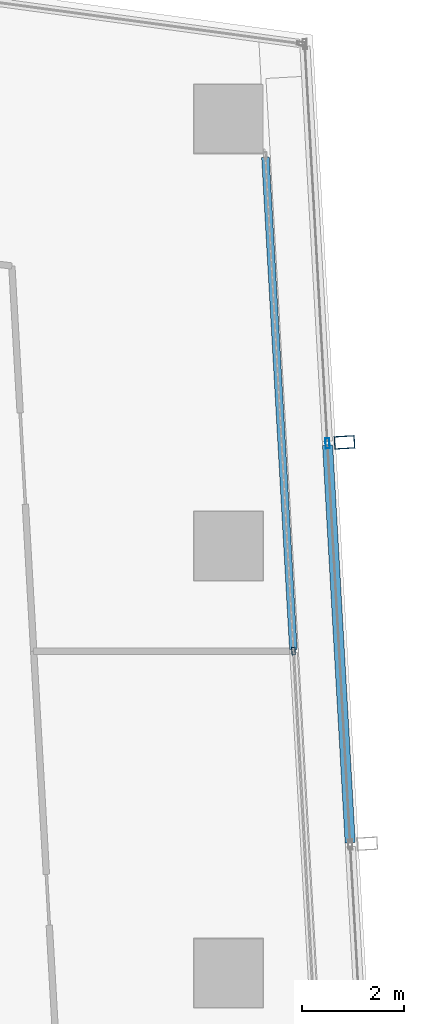
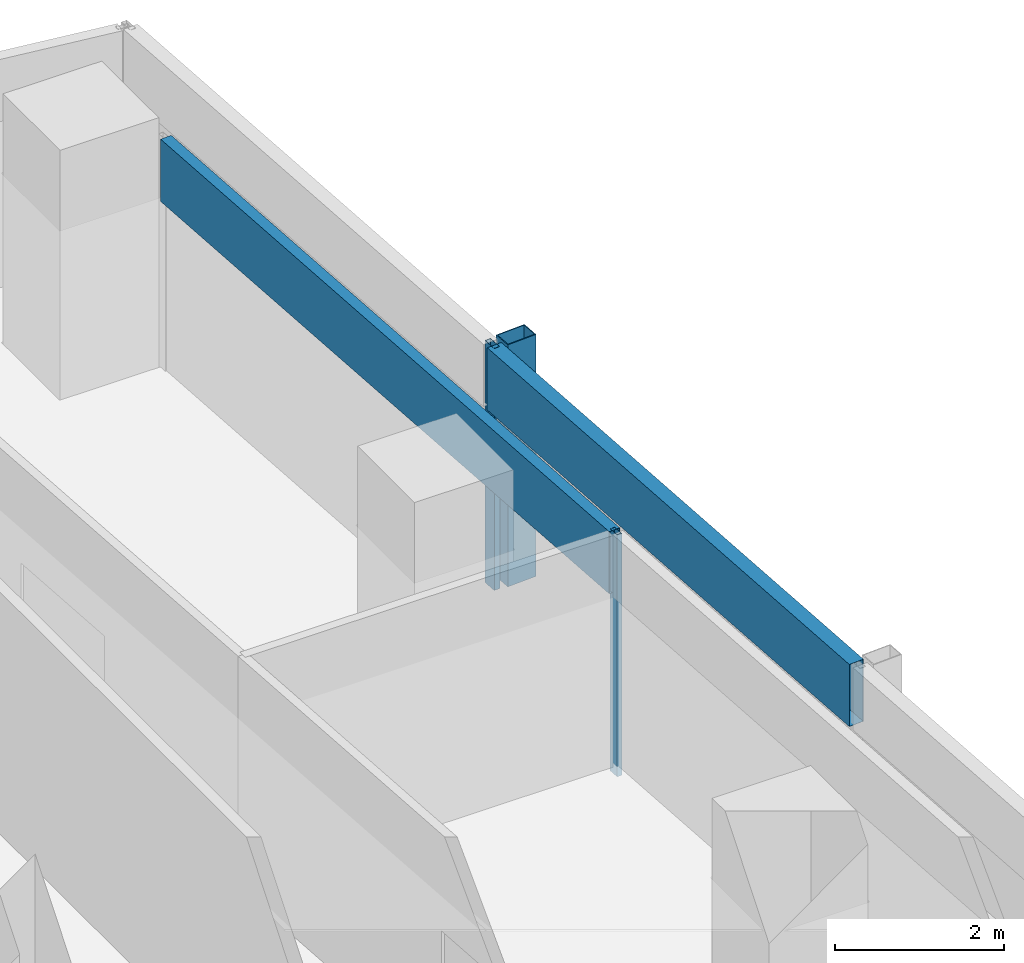
# One storey, part 23 of 38: 5 members, 2 elements without a shape of their own.
"""IFC4 building model written with IfcOpenShell, lengths in metres."""

from ifc_helpers import new_model, si_unit, direction, frame, origin, origin_2d, place, context, subcontext, project, spatial, hollow_rectangle, extrude, material, material_profile, profile_set, type_object, element, aggregate, save


model = new_model("IFC4")

# Units and contexts
model_context = context("Model", 3, precision=1e-05, world=origin(), true_north=direction((0.0, 1.0)))
body_context = subcontext(model_context, "Body", "Model", "MODEL_VIEW")
ifc_project = project(units=[si_unit("LENGTHUNIT", "METRE"), si_unit("AREAUNIT", "SQUARE_METRE"), si_unit("VOLUMEUNIT", "CUBIC_METRE"), si_unit("PLANEANGLEUNIT", "RADIAN"), si_unit("MASSUNIT", "GRAM", prefix="KILO")], contexts=[model_context])

# Site, building, storey
site_placement = place(None, origin())
site = spatial("IfcSite", under=ifc_project, at=site_placement, CompositionType="ELEMENT")
building_placement = place(site_placement, origin())
building = spatial("IfcBuilding", under=site, at=building_placement, Name="Rekha Terrace Tower", CompositionType="ELEMENT")
storey_placement = place(building_placement, frame((0.0, 0.0, 195.199951171875)))
storey = spatial("IfcBuildingStorey", under=building, at=storey_placement, Name="L49", CompositionType="ELEMENT", Elevation=195.199951171875)

# Curtain wall, member
ifc_material_1 = material(Name="Aluminium framing", Category="aluminium")
curtain_wall_type_1 = type_object("IfcCurtainWallType", Name="CW2 double skin outer glazing", PredefinedType="USERDEFINED", material=ifc_material_1)
curtain_wall_1_placement = place(storey_placement, origin())
curtain_wall_1 = element("IfcCurtainWall", 1, at=curtain_wall_1_placement, inside=storey, type_object=curtain_wall_type_1, Name="CW2 double skin outer glazing", ObjectType="DOUBLE SKIN OUTER GLAZING", PredefinedType="USERDEFINED")
ifc_material_2 = material(Name="Steel S355 with fluorocarbon finish", Category="steel")
ifc_material_profile_1 = material_profile(ifc_material_2, hollow_rectangle(XDim=0.25, YDim=0.39990234375, WallThickness=0.012451171875, at=origin_2d()), Name="RHS400x250x12.5")
ifc_profile_set_1 = profile_set([ifc_material_profile_1], Name="Steel S355 with fluorocarbon finish")
member_type_1 = type_object("IfcMemberType", Name="BL1 facade blade RHS 400 x 250", PredefinedType="USERDEFINED", material=ifc_profile_set_1)
member_1_placement = place(storey_placement, frame((61.080078125, 52.4375, 0.0), z_axis=(0.0, 0.0, 1.0), x_axis=(-0.056673619809, 0.998392758797, 0.0)))
member_1 = element("IfcMember", 2, at=member_1_placement, type_object=member_type_1, Name="Facade blade", ObjectType="FACADE BLADE", PredefinedType="USERDEFINED", context=body_context, shape_type="SweptSolid", body=[
    extrude(hollow_rectangle(XDim=0.25, YDim=0.39990234375, WallThickness=0.012451171875, at=origin_2d()), origin(), (0.0, 0.0, 1.0), 3.5),
])

# Curtain wall, members
curtain_wall_type_2 = type_object("IfcCurtainWallType", Name="CW1 double skin inner glazing", PredefinedType="USERDEFINED", material=ifc_material_1)
curtain_wall_2_placement = place(storey_placement, origin())
curtain_wall_2 = element("IfcCurtainWall", 3, at=curtain_wall_2_placement, inside=storey, type_object=curtain_wall_type_2, Name="CW1 double skin inner glazing", ObjectType="DOUBLE SKIN INNER GLAZING", PredefinedType="USERDEFINED")
ifc_material_3 = material(Name="Aluminium mullion section", Category="aluminium")
ifc_material_profile_2 = material_profile(ifc_material_3, hollow_rectangle(XDim=0.06494140625, YDim=0.14990234375, WallThickness=0.00390625, at=origin_2d()), Name="AL RHS 65x150")
ifc_profile_set_2 = profile_set([ifc_material_profile_2], Name="Aluminium mullion section")
member_type_2 = type_object("IfcMemberType", Name="CW1 mullion RHS 65 x 150", PredefinedType="MULLION", material=ifc_profile_set_2)
member_2_placement = place(storey_placement, frame((60.076171875, 48.331787109375, 0.0), z_axis=(0.0, 0.0, 1.0), x_axis=(-0.998392782919, -0.05667319486, 0.0)))
member_2 = element("IfcMember", 4, at=member_2_placement, type_object=member_type_2, Name="CW1 mullion 3", PredefinedType="MULLION", context=body_context, shape_type="SweptSolid", body=[
    extrude(hollow_rectangle(XDim=0.06494140625, YDim=0.14990234375, WallThickness=0.00390625, at=origin_2d()), origin(), (0.0, 0.0, 1.0), 3.5),
])
ifc_material_4 = material(Name="Insulated aluminium spandrel box", Category="aluminium")
ifc_material_profile_3 = material_profile(ifc_material_4, hollow_rectangle(XDim=0.14990234375, YDim=0.89990234375, WallThickness=0.0029296875, at=origin_2d()), Name="AL SPANDREL BOX 150x900")
ifc_profile_set_3 = profile_set([ifc_material_profile_3], Name="Insulated aluminium spandrel box")
member_type_3 = type_object("IfcMemberType", Name="CW1 spandrel transom 150 x 900", PredefinedType="USERDEFINED", material=ifc_profile_set_3)
member_3_placement = place(storey_placement, frame((60.07421875, 48.3642578125, 3.050048828125), z_axis=(-0.056665357377, 0.998393227778, 0.0), x_axis=(-0.998393227778, -0.056665357377, 0.0)))
member_3 = element("IfcMember", 5, at=member_3_placement, type_object=member_type_3, Name="CW1 spandrel transom 3", ObjectType="TRANSOM", PredefinedType="USERDEFINED", context=body_context, shape_type="SweptSolid", body=[
    extrude(hollow_rectangle(XDim=0.14990234375, YDim=0.89990234375, WallThickness=0.0029296875, at=origin_2d()), origin(), (0.0, 0.0, 1.0), 9.694091796875),
])
aggregate(curtain_wall_2, [member_2, member_3])

# Member
ifc_material_profile_4 = material_profile(ifc_material_3, hollow_rectangle(XDim=0.080078125, YDim=0.199951171875, WallThickness=0.00390625, at=origin_2d()), Name="AL RHS 80x200")
ifc_profile_set_4 = profile_set([ifc_material_profile_4], Name="Aluminium mullion section")
member_type_4 = type_object("IfcMemberType", Name="CW2 mullion RHS 80 x 200", PredefinedType="MULLION", material=ifc_profile_set_4)
member_4_placement = place(storey_placement, frame((60.74560546875, 52.41845703125, 0.0), z_axis=(0.0, 0.0, 1.0), x_axis=(-0.998392782919, -0.05667319486, 0.0)))
member_4 = element("IfcMember", 6, at=member_4_placement, type_object=member_type_4, Name="CW2 mullion 4", PredefinedType="MULLION", context=body_context, shape_type="SweptSolid", body=[
    extrude(hollow_rectangle(XDim=0.080078125, YDim=0.199951171875, WallThickness=0.00390625, at=origin_2d()), origin(), (0.0, 0.0, 1.0), 3.5),
])

ifc_material_profile_5 = material_profile(ifc_material_4, hollow_rectangle(XDim=0.199951171875, YDim=0.89990234375, WallThickness=0.0029296875, at=origin_2d()), Name="AL SPANDREL BOX 200x900")
ifc_profile_set_5 = profile_set([ifc_material_profile_5], Name="Insulated aluminium spandrel box")
member_type_5 = type_object("IfcMemberType", Name="CW2 spandrel transom 200 x 900", PredefinedType="USERDEFINED", material=ifc_profile_set_5)
member_5_placement = place(storey_placement, frame((61.19140625, 44.567626953125, 3.050048828125), z_axis=(-0.056702299999, 0.998391130357, 0.0), x_axis=(-0.998391130357, -0.056702299999, 0.0)))
member_5 = element("IfcMember", 7, at=member_5_placement, type_object=member_type_5, Name="CW2 spandrel transom 3", ObjectType="TRANSOM", PredefinedType="USERDEFINED", context=body_context, shape_type="SweptSolid", body=[
    extrude(hollow_rectangle(XDim=0.199951171875, YDim=0.89990234375, WallThickness=0.0029296875, at=origin_2d()), origin(), (0.0, 0.0, 1.0), 7.823486328125),
])

aggregate(curtain_wall_1, [member_4, member_5, member_1])

save(model, "model.ifc")
